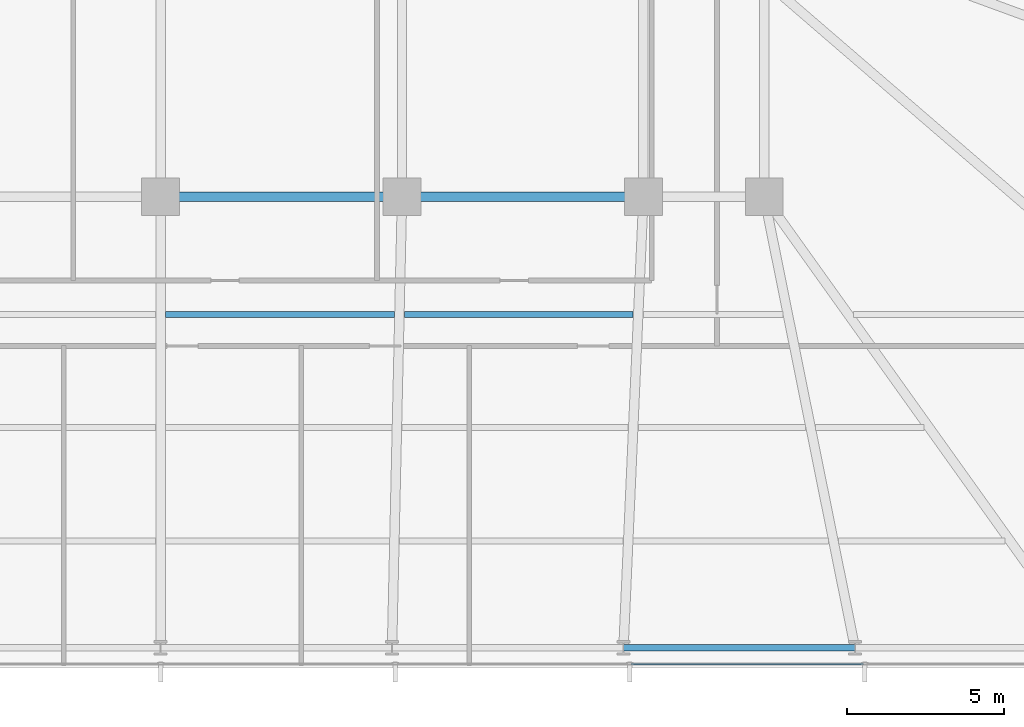
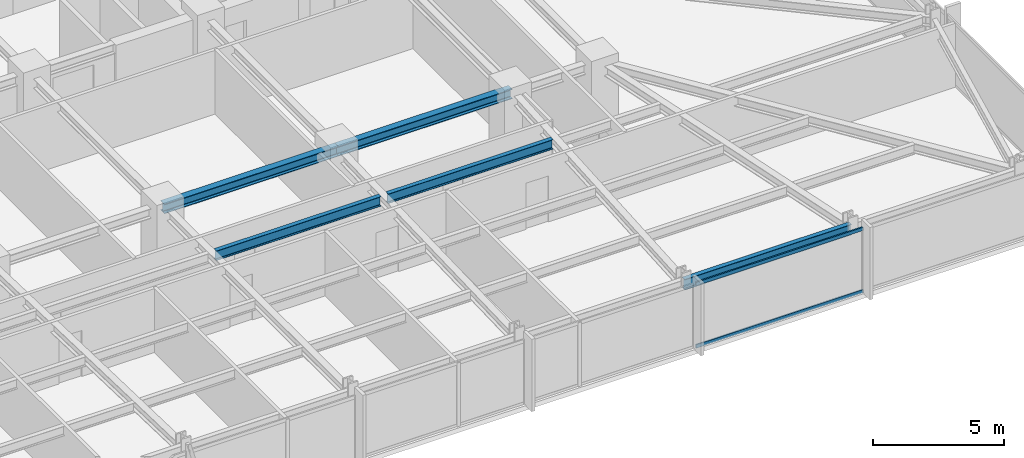
# One storey, part 13 of 32: 5 beams, 2 members, 1 element without a shape of its own.
"""IFC4 building model written with IfcOpenShell, lengths in metres."""

from ifc_helpers import new_model, si_unit, direction, frame, origin, origin_2d, place, context, subcontext, project, spatial, hollow_rectangle, i_section, extrude, material, material_profile, profile_set, type_object, element, aggregate, save


model = new_model("IFC4")

# Units and contexts
model_context = context("Model", 3, precision=1e-05, world=origin(), true_north=direction((0.0, 1.0)))
body_context = subcontext(model_context, "Body", "Model", "MODEL_VIEW")
ifc_project = project(units=[si_unit("LENGTHUNIT", "METRE"), si_unit("AREAUNIT", "SQUARE_METRE"), si_unit("VOLUMEUNIT", "CUBIC_METRE"), si_unit("PLANEANGLEUNIT", "RADIAN"), si_unit("MASSUNIT", "GRAM", prefix="KILO")], contexts=[model_context])

# Site, building, storey
site_placement = place(None, origin())
site = spatial("IfcSite", under=ifc_project, at=site_placement, CompositionType="ELEMENT")
building_placement = place(site_placement, origin())
building = spatial("IfcBuilding", under=site, at=building_placement, Name="Yelkora Congress Tower", CompositionType="ELEMENT")
storey_placement = place(building_placement, frame((0.0, 0.0, 74.60009765625)))
storey = spatial("IfcBuildingStorey", under=building, at=storey_placement, Name="L19", CompositionType="ELEMENT", Elevation=74.60009765625)

# Beams
ifc_material_1 = material(Name="Steel S355J2", Category="steel")
ifc_material_profile_1 = material_profile(ifc_material_1, i_section(OverallWidth=0.300048828125, OverallDepth=0.449951171875, WebThickness=0.013916015625, FlangeThickness=0.02587890625, FilletRadius=0.027099609375, at=origin_2d()), Name="HEB 450")
ifc_profile_set_1 = profile_set([ifc_material_profile_1], Name="Steel S355J2")
beam_type_1 = type_object("IfcBeamType", Name="BM-GIRD-HEB450", PredefinedType="BEAM", material=ifc_profile_set_1)
beam_1_placement = place(storey_placement, frame((38.39990234375, 25.199951171875, 2.7548828125), z_axis=(1.0, 0.0, 0.0), x_axis=(0.0, 1.0, 0.0)))
element("IfcBeam", 1, at=beam_1_placement, inside=storey, type_object=beam_type_1, Name="L19 Spine Grid D Girder 4", PredefinedType="BEAM", context=body_context, shape_type="SweptSolid", body=[
    extrude(i_section(OverallWidth=0.300048828125, OverallDepth=0.449951171875, WebThickness=0.013916015625, FlangeThickness=0.02587890625, FilletRadius=0.027099609375, at=origin_2d()), origin(), (0.0, 0.0, 1.0), 7.68017578125),
])
beam_2_placement = place(storey_placement, frame((46.080078125, 25.199951171875, 2.7548828125), z_axis=(1.0, 0.0, 0.0), x_axis=(0.0, 1.0, 0.0)))
element("IfcBeam", 2, at=beam_2_placement, inside=storey, type_object=beam_type_1, Name="L19 Spine Grid D Girder 5", PredefinedType="BEAM", context=body_context, shape_type="SweptSolid", body=[
    extrude(i_section(OverallWidth=0.300048828125, OverallDepth=0.449951171875, WebThickness=0.013916015625, FlangeThickness=0.02587890625, FilletRadius=0.027099609375, at=origin_2d()), origin(), (0.0, 0.0, 1.0), 7.679931640625),
])
ifc_material_profile_2 = material_profile(ifc_material_1, i_section(OverallWidth=0.18994140625, OverallDepth=0.449951171875, WebThickness=0.009521484375, FlangeThickness=0.0146484375, FilletRadius=0.02099609375, at=origin_2d()), Name="IPE 450")
ifc_profile_set_2 = profile_set([ifc_material_profile_2], Name="Steel S355J2")
beam_type_2 = type_object("IfcBeamType", Name="BM-JOIST-IPE450", PredefinedType="JOIST", material=ifc_profile_set_2)
beam_3_placement = place(storey_placement, frame((38.56005859375, 21.449951171875, 2.7548828125), z_axis=(1.0, 0.0, 0.0), x_axis=(0.0, 1.0, 0.0)))
element("IfcBeam", 3, at=beam_3_placement, inside=storey, type_object=beam_type_2, Name="L19 Composite Floor Joist 20", PredefinedType="JOIST", context=body_context, shape_type="SweptSolid", body=[
    extrude(i_section(OverallWidth=0.18994140625, OverallDepth=0.449951171875, WebThickness=0.009521484375, FlangeThickness=0.0146484375, FilletRadius=0.02099609375, at=origin_2d()), origin(), (0.0, 0.0, 1.0), 7.27685546875),
])
beam_4_placement = place(storey_placement, frame((46.156982421875, 21.449951171875, 2.7548828125), z_axis=(1.0, 0.0, 0.0), x_axis=(0.0, 1.0, 0.0)))
element("IfcBeam", 4, at=beam_4_placement, inside=storey, type_object=beam_type_2, Name="L19 Composite Floor Joist 21", PredefinedType="JOIST", context=body_context, shape_type="SweptSolid", body=[
    extrude(i_section(OverallWidth=0.18994140625, OverallDepth=0.449951171875, WebThickness=0.009521484375, FlangeThickness=0.0146484375, FilletRadius=0.02099609375, at=origin_2d()), origin(), (0.0, 0.0, 1.0), 7.277099609375),
])
ifc_material_profile_3 = material_profile(ifc_material_1, i_section(OverallWidth=0.199951171875, OverallDepth=0.5, WebThickness=0.01025390625, FlangeThickness=0.01611328125, FilletRadius=0.02099609375, at=origin_2d()), Name="IPE 500")
ifc_profile_set_3 = profile_set([ifc_material_profile_3], Name="Steel S355J2")
beam_type_3 = type_object("IfcBeamType", Name="BM-SPAN-IPE500", PredefinedType="SPANDREL", material=ifc_profile_set_3)
beam_5_placement = place(storey_placement, frame((53.125, 10.85009765625, 2.72998046875), z_axis=(1.0, 0.0, 0.0), x_axis=(0.0, 1.0, 0.0)))
element("IfcBeam", 5, at=beam_5_placement, inside=storey, type_object=beam_type_3, Name="L19 Perimeter Beam 8", PredefinedType="SPANDREL", context=body_context, shape_type="SweptSolid", body=[
    extrude(i_section(OverallWidth=0.199951171875, OverallDepth=0.5, WebThickness=0.01025390625, FlangeThickness=0.01611328125, FilletRadius=0.02099609375, at=origin_2d()), origin(), (0.0, 0.0, 1.0), 7.362548828125),
])

# Curtain wall, members
ifc_material_2 = material(Name="Anodised aluminium and insulated glass", Category="aluminium")
curtain_wall_type = type_object("IfcCurtainWallType", Name="CW-SYS-B1", PredefinedType="NOTDEFINED", material=ifc_material_2)
curtain_wall_placement = place(storey_placement, origin())
curtain_wall = element("IfcCurtainWall", 6, at=curtain_wall_placement, inside=storey, type_object=curtain_wall_type, Name="L19 Unitised Curtain Wall 20", PredefinedType="NOTDEFINED")
ifc_material_3 = material(Name="Anodised aluminium 6063-T6", Category="aluminium")
ifc_material_profile_4 = material_profile(ifc_material_3, hollow_rectangle(XDim=0.06494140625, YDim=0.159912109375, WallThickness=0.00390625, at=origin_2d()), Name="ALU 65x160x4")
ifc_profile_set_4 = profile_set([ifc_material_profile_4], Name="Anodised aluminium 6063-T6")
member_type = type_object("IfcMemberType", Name="MEM-TR-B1", PredefinedType="USERDEFINED", material=ifc_profile_set_4)
member_1_placement = place(storey_placement, frame((60.757568359375, 10.340087890625, 0.032470703125), z_axis=(-1.0, 0.0, 0.0), x_axis=(0.0, -1.0, 0.0)))
member_1 = element("IfcMember", 7, at=member_1_placement, type_object=member_type, Name="CW-B1 transom 2.1", ObjectType="TRANSOM", PredefinedType="USERDEFINED", context=body_context, shape_type="SweptSolid", body=[
    extrude(hollow_rectangle(XDim=0.06494140625, YDim=0.159912109375, WallThickness=0.00390625, at=origin_2d()), origin(), (0.0, 0.0, 1.0), 7.39013671875),
])
member_2_placement = place(storey_placement, frame((60.757568359375, 10.340087890625, 2.947509765625), z_axis=(-1.0, 0.0, 0.0), x_axis=(0.0, -1.0, 0.0)))
member_2 = element("IfcMember", 8, at=member_2_placement, type_object=member_type, Name="CW-B1 transom 2.2", ObjectType="TRANSOM", PredefinedType="USERDEFINED", context=body_context, shape_type="SweptSolid", body=[
    extrude(hollow_rectangle(XDim=0.06494140625, YDim=0.159912109375, WallThickness=0.00390625, at=origin_2d()), origin(), (0.0, 0.0, 1.0), 7.39013671875),
])
aggregate(curtain_wall, [member_1, member_2])

save(model, "model.ifc")
